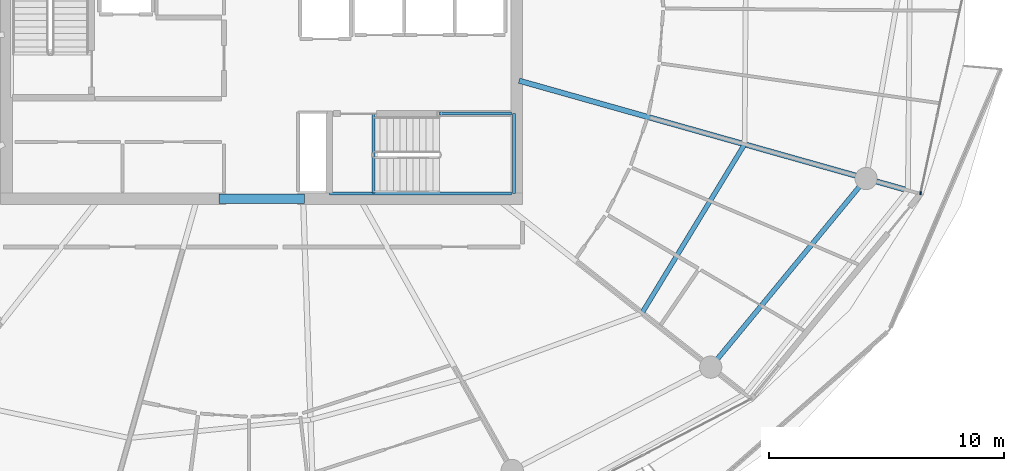
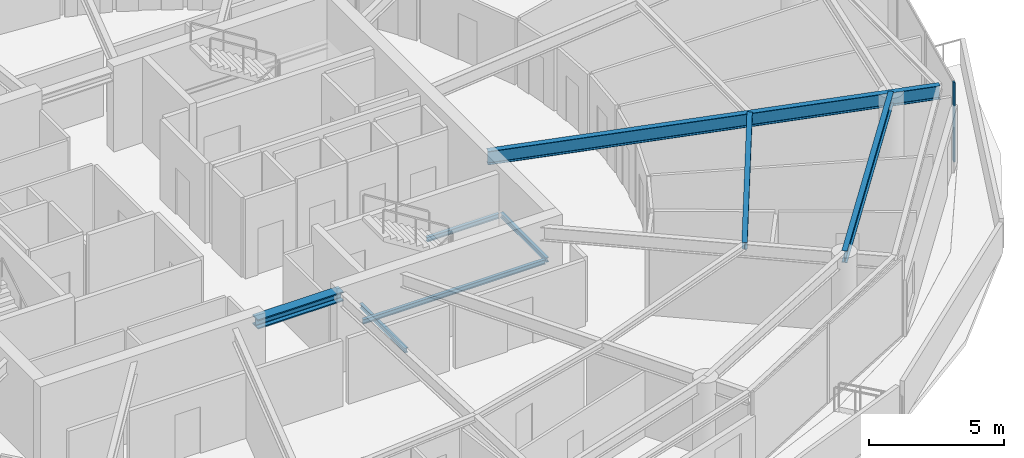
# One storey, part 10 of 30: 8 beams, 1 member, 1 element without a shape of its own.
"""IFC4 building model written with IfcOpenShell, lengths in metres."""

from ifc_helpers import new_model, si_unit, direction, frame, origin, origin_2d, place, context, subcontext, project, spatial, rectangle, i_section, extrude, material, layer, layer_set, material_profile, profile_set, type_object, element, aggregate, save


model = new_model("IFC4")

# Units and contexts
model_context = context("Model", 3, precision=1e-05, world=origin(), true_north=direction((0.0, 1.0)))
body_context = subcontext(model_context, "Body", "Model", "MODEL_VIEW")
ifc_project = project(units=[si_unit("LENGTHUNIT", "METRE"), si_unit("AREAUNIT", "SQUARE_METRE"), si_unit("VOLUMEUNIT", "CUBIC_METRE"), si_unit("PLANEANGLEUNIT", "RADIAN"), si_unit("MASSUNIT", "GRAM", prefix="KILO")], contexts=[model_context])

# Site, building, storey
site_placement = place(None, origin())
site = spatial("IfcSite", under=ifc_project, at=site_placement, CompositionType="ELEMENT")
building_placement = place(site_placement, origin())
building = spatial("IfcBuilding", under=site, at=building_placement, Name="Kazma Halo Residences", CompositionType="ELEMENT")
storey_placement = place(building_placement, frame((0.0, 0.0, 290.60009765625)))
storey = spatial("IfcBuildingStorey", under=building, at=storey_placement, Name="L73", CompositionType="ELEMENT", Elevation=290.60009765625)

# Beams
ifc_material_1 = material(Name="Steel S355", Category="steel")
ifc_material_profile_1 = material_profile(ifc_material_1, i_section(OverallWidth=0.408935546875, OverallDepth=0.425048828125, WebThickness=0.03271484375, FlangeThickness=0.052490234375, FilletRadius=0.02001953125, at=origin_2d()), Name="W360x421")
ifc_profile_set_1 = profile_set([ifc_material_profile_1], Name="Steel S355")
beam_type_1 = type_object("IfcBeamType", Name="BM-CORE-W360H", PredefinedType="BEAM", material=ifc_profile_set_1)
beam_1_placement = place(storey_placement, frame((46.60009765625, 33.75, 3.37744140625), z_axis=(1.0, 0.0, 0.0), x_axis=(0.0, 1.0, 0.0)))
element("IfcBeam", 1, at=beam_1_placement, inside=storey, type_object=beam_type_1, Name="L73 core coupling beam S", PredefinedType="BEAM", context=body_context, shape_type="SweptSolid", body=[
    extrude(i_section(OverallWidth=0.408935546875, OverallDepth=0.425048828125, WebThickness=0.03271484375, FlangeThickness=0.052490234375, FilletRadius=0.02001953125, at=origin_2d()), origin(), (0.0, 0.0, 1.0), 3.64990234375),
])
ifc_material_profile_2 = material_profile(ifc_material_1, i_section(OverallWidth=0.22802734375, OverallDepth=0.60791015625, WebThickness=0.01123046875, FlangeThickness=0.017333984375, FilletRadius=0.01806640625, at=origin_2d()), Name="W610x113")
ifc_profile_set_2 = profile_set([ifc_material_profile_2], Name="Steel S355")
beam_type_2 = type_object("IfcBeamType", Name="BM-RAD-W610", PredefinedType="BEAM", material=ifc_profile_set_2)
beam_2_placement = place(storey_placement, frame((59.39990234375, 38.784912109375, 3.285888671875), z_axis=(0.962452620609, -0.271449724781, 0.0), x_axis=(0.271449724781, 0.962452620609, 0.0)))
element("IfcBeam", 2, at=beam_2_placement, inside=storey, type_object=beam_type_2, Name="L73 radial floor beam 15", PredefinedType="BEAM", context=body_context, shape_type="SweptSolid", body=[
    extrude(i_section(OverallWidth=0.22802734375, OverallDepth=0.60791015625, WebThickness=0.01123046875, FlangeThickness=0.017333984375, FilletRadius=0.01806640625, at=origin_2d()), origin(), (0.0, 0.0, 1.0), 17.218017578125),
])
ifc_material_profile_3 = material_profile(ifc_material_1, i_section(OverallWidth=0.202880859375, OverallDepth=0.302978515625, WebThickness=0.007568359375, FlangeThickness=0.01318359375, FilletRadius=0.013916015625, at=origin_2d()), Name="W310x60")
ifc_profile_set_3 = profile_set([ifc_material_profile_3], Name="Steel S355")
beam_type_3 = type_object("IfcBeamType", Name="BM-SEC-W310A", PredefinedType="JOIST", material=ifc_profile_set_3)
beam_3_placement = place(storey_placement, frame((64.6396484375, 28.88232421875, 3.4384765625), z_axis=(0.519439801751, 0.854507046406, 0.0), x_axis=(-0.854507046406, 0.519439801751, 0.0)))
element("IfcBeam", 3, at=beam_3_placement, inside=storey, type_object=beam_type_3, Name="L73 circumferential floor joist 14", PredefinedType="JOIST", context=body_context, shape_type="SweptSolid", body=[
    extrude(i_section(OverallWidth=0.202880859375, OverallDepth=0.302978515625, WebThickness=0.007568359375, FlangeThickness=0.01318359375, FilletRadius=0.013916015625, at=origin_2d()), origin(), (0.0, 0.0, 1.0), 8.41650390625),
])
ifc_material_profile_4 = material_profile(ifc_material_1, i_section(OverallWidth=0.208984375, OverallDepth=0.532958984375, WebThickness=0.01025390625, FlangeThickness=0.015625, FilletRadius=0.01611328125, at=origin_2d()), Name="W530x92")
ifc_profile_set_4 = profile_set([ifc_material_profile_4], Name="Steel S355")
beam_type_4 = type_object("IfcBeamType", Name="BM-SPN-W530", PredefinedType="BEAM", material=ifc_profile_set_4)
beam_4_placement = place(storey_placement, frame((67.566162109375, 26.5751953125, 3.323486328125), z_axis=(0.636002144225, 0.771687289348, 0.0), x_axis=(-0.771687289348, 0.636002144225, 0.0)))
element("IfcBeam", 4, at=beam_4_placement, inside=storey, type_object=beam_type_4, Name="L73 perimeter ring beam 14", PredefinedType="BEAM", context=body_context, shape_type="SweptSolid", body=[
    extrude(i_section(OverallWidth=0.208984375, OverallDepth=0.532958984375, WebThickness=0.01025390625, FlangeThickness=0.015625, FilletRadius=0.01611328125, at=origin_2d()), origin(), (0.0, 0.0, 1.0), 10.416259765625),
])
ifc_material_profile_5 = material_profile(ifc_material_1, i_section(OverallWidth=0.133056640625, OverallDepth=0.20703125, WebThickness=0.005859375, FlangeThickness=0.00830078125, FilletRadius=0.010009765625, at=origin_2d()), Name="W200x26.6")
ifc_profile_set_5 = profile_set([ifc_material_profile_5], Name="Steel S355")
beam_type_5 = type_object("IfcBeamType", Name="BM-TRIM-W200", PredefinedType="BEAM", material=ifc_profile_set_5)
beam_5_placement = place(storey_placement, frame((53.199951171875, 34.0, -0.3701171875), z_axis=(0.0, 1.0, 0.0), x_axis=(-1.0, 0.0, 0.0)))
element("IfcBeam", 5, at=beam_5_placement, inside=storey, type_object=beam_type_5, Name="L73 ST-03 floor landing support beam", PredefinedType="BEAM", context=body_context, shape_type="SweptSolid", body=[
    extrude(i_section(OverallWidth=0.133056640625, OverallDepth=0.20703125, WebThickness=0.005859375, FlangeThickness=0.00830078125, FilletRadius=0.010009765625, at=origin_2d()), origin(), (0.0, 0.0, 1.0), 3.3798828125),
])
beam_6_placement = place(storey_placement, frame((51.31005859375, 33.97998046875, 1.619873046875), z_axis=(1.0, 0.0, 0.0), x_axis=(0.0, 1.0, 0.0)))
element("IfcBeam", 6, at=beam_6_placement, inside=storey, type_object=beam_type_5, Name="L73 ST-03 landing south wall ledger", PredefinedType="BEAM", context=body_context, shape_type="SweptSolid", body=[
    extrude(i_section(OverallWidth=0.133056640625, OverallDepth=0.20703125, WebThickness=0.005859375, FlangeThickness=0.00830078125, FilletRadius=0.010009765625, at=origin_2d()), origin(), (0.0, 0.0, 1.0), 7.760009765625),
])
beam_7_placement = place(storey_placement, frame((56.0, 37.3798828125, 1.619873046875), z_axis=(1.0, 0.0, 0.0), x_axis=(0.0, 1.0, 0.0)))
element("IfcBeam", 7, at=beam_7_placement, inside=storey, type_object=beam_type_5, Name="L73 ST-03 landing north wall ledger", PredefinedType="BEAM", context=body_context, shape_type="SweptSolid", body=[
    extrude(i_section(OverallWidth=0.133056640625, OverallDepth=0.20703125, WebThickness=0.005859375, FlangeThickness=0.00830078125, FilletRadius=0.010009765625, at=origin_2d()), origin(), (0.0, 0.0, 1.0), 3.070068359375),
])
beam_8_placement = place(storey_placement, frame((59.18994140625, 33.97998046875, 1.619873046875), z_axis=(0.0, 1.0, 0.0), x_axis=(-1.0, 0.0, 0.0)))
element("IfcBeam", 8, at=beam_8_placement, inside=storey, type_object=beam_type_5, Name="L73 ST-03 landing end wall ledger", PredefinedType="BEAM", context=body_context, shape_type="SweptSolid", body=[
    extrude(i_section(OverallWidth=0.133056640625, OverallDepth=0.20703125, WebThickness=0.005859375, FlangeThickness=0.00830078125, FilletRadius=0.010009765625, at=origin_2d()), origin(), (0.0, 0.0, 1.0), 3.39990234375),
])

# Curtain wall, member
ifc_material_2 = material(Name="Aluminium AW-6063 T6 and Triple-Silver Low-E Glass", Category="aluminium")
ifc_layer = layer(ifc_material_2, 0.139892578125)
ifc_layer_set = layer_set([ifc_layer], Name="Aluminium AW-6063 T6 and Triple-Silver Low-E Glass")
curtain_wall_type = type_object("IfcCurtainWallType", Name="CW-SYS-5", PredefinedType="NOTDEFINED", material=ifc_layer_set)
curtain_wall_placement = place(storey_placement, origin())
curtain_wall = element("IfcCurtainWall", 9, at=curtain_wall_placement, inside=storey, type_object=curtain_wall_type, Name="L73 unitised curtain wall B15", PredefinedType="NOTDEFINED")
ifc_material_3 = material(Name="Aluminium AW-6063 T6", Category="aluminium")
ifc_material_profile_6 = material_profile(ifc_material_3, rectangle(XDim=0.06005859375, YDim=0.139892578125, at=origin_2d()), Name="CWM-60x140")
ifc_profile_set_6 = profile_set([ifc_material_profile_6], Name="Aluminium AW-6063 T6")
member_type = type_object("IfcMemberType", Name="CW-SYS-5-MUL", PredefinedType="MULLION", material=ifc_profile_set_6)
member_placement = place(storey_placement, frame((76.514892578125, 33.989013671875, 0.0), z_axis=(0.0, 0.0, 1.0), x_axis=(-0.97777491373, 0.209657382603, 0.0)))
member = element("IfcMember", 10, at=member_placement, type_object=member_type, Name="CWS-5 mullion 1", PredefinedType="MULLION", context=body_context, shape_type="SweptSolid", body=[
    extrude(rectangle(XDim=0.06005859375, YDim=0.139892578125, at=origin_2d()), origin(), (0.0, 0.0, 1.0), 3.58984375),
])
aggregate(curtain_wall, [member])

save(model, "model.ifc")
